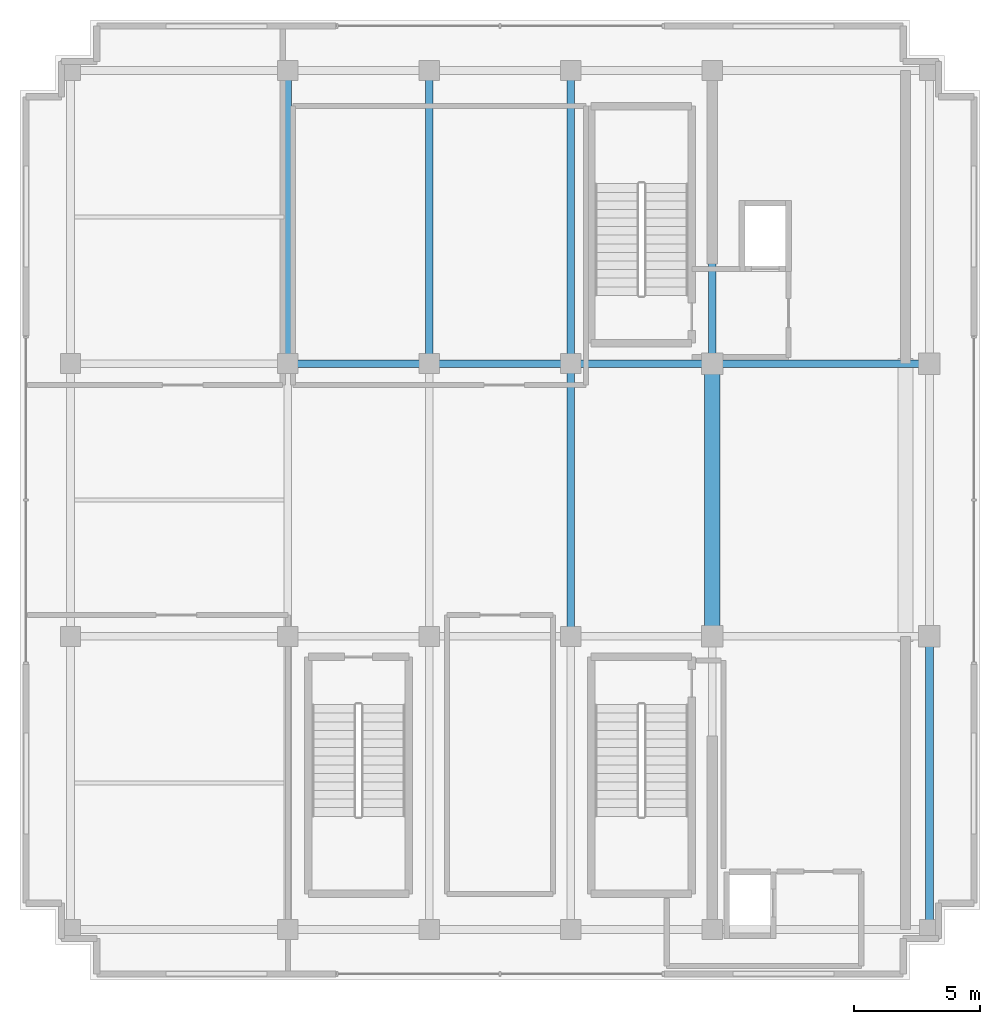
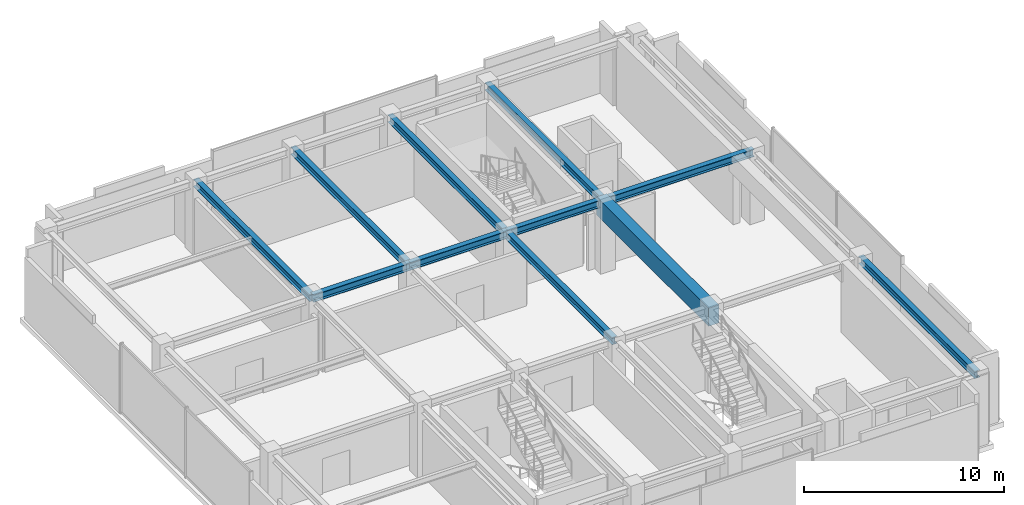
# One storey, part 9 of 18: 11 beams.
"""IFC4 building model written with IfcOpenShell, lengths in metres."""

from ifc_helpers import new_model, si_unit, direction, frame, origin, origin_2d, place, context, subcontext, project, spatial, rectangle, i_section, extrude, source, transform, mapped, material, material_profile, profile_set, type_object, element, save


model = new_model("IFC4")

# Units and contexts
model_context = context("Model", 3, precision=1e-05, world=origin(), true_north=direction((0.0, 1.0)))
body_context = subcontext(model_context, "Body", "Model", "MODEL_VIEW")
ifc_project = project(units=[si_unit("LENGTHUNIT", "METRE"), si_unit("AREAUNIT", "SQUARE_METRE"), si_unit("VOLUMEUNIT", "CUBIC_METRE"), si_unit("PLANEANGLEUNIT", "RADIAN"), si_unit("MASSUNIT", "GRAM", prefix="KILO")], contexts=[model_context])

# Site, building, storey
site_placement = place(None, origin())
site = spatial("IfcSite", under=ifc_project, at=site_placement, CompositionType="ELEMENT")
building_placement = place(site_placement, origin())
building = spatial("IfcBuilding", under=site, at=building_placement, Name="Nahalor Promenade Grand Hotel", CompositionType="ELEMENT")
storey_placement = place(building_placement, frame((0.0, 0.0, 366.25)))
storey = spatial("IfcBuildingStorey", under=building, at=storey_placement, Name="L93", CompositionType="ELEMENT", Elevation=366.25)

# Beams
ifc_material_1 = material(Name="Concrete B-60 (C50/60)", Category="concrete")
ifc_material_profile_1 = material_profile(ifc_material_1, rectangle(XDim=0.6, YDim=1.1, at=origin_2d()), Name="RC 600x1100")
ifc_profile_set_1 = profile_set([ifc_material_profile_1], Name="Concrete B-60 (C50/60)")
beam_type_1 = type_object("IfcBeamType", Name="Beam-Lintel-RC1100", PredefinedType="LINTEL", material=ifc_profile_set_1)
shared_shape_1 = source(origin(), body_context, "Body", "SweptSolid", [
    extrude(rectangle(XDim=0.6, YDim=1.1, at=origin_2d()), origin(), (0.0, 0.0, 1.0), 11.2001953125),
])
beam_1_placement = place(storey_placement, frame((8.39990234375, -5.60009765625, 3.75), z_axis=(0.0, 1.0, 0.0), x_axis=(-1.0, 0.0, 0.0)))
element("IfcBeam", 1, at=beam_1_placement, inside=storey, type_object=beam_type_1, Name="BM-L93-LINT-W", PredefinedType="LINTEL", context=body_context, shape_type="MappedRepresentation", body=[
    mapped(shared_shape_1, transform((0.0, 0.0, 0.0), scale=1.0)),
])
ifc_material_2 = material(Name="Steel S355JR", Category="steel")
ifc_material_profile_2 = material_profile(ifc_material_2, i_section(OverallWidth=0.3, OverallDepth=0.45, WebThickness=0.014, FlangeThickness=0.026, at=origin_2d()), Name="HEB 450")
ifc_profile_set_2 = profile_set([ifc_material_profile_2], Name="Steel S355JR")
beam_type_2 = type_object("IfcBeamType", Name="Beam-Girder-HEB450", PredefinedType="BEAM", material=ifc_profile_set_2)
shared_shape_2 = source(origin(), body_context, "Body", "SweptSolid", [
    extrude(i_section(OverallWidth=0.3, OverallDepth=0.45, WebThickness=0.014, FlangeThickness=0.026, at=origin_2d()), origin(), (0.0, 0.0, 1.0), 8.60009765625),
])
beam_2_placement = place(storey_placement, frame((8.39990234375, 5.39990234375, 4.074951171875), z_axis=(1.0, 0.0, 0.0), x_axis=(0.0, 1.0, 0.0)))
element("IfcBeam", 2, at=beam_2_placement, inside=storey, type_object=beam_type_2, Name="BM-L93-GX-2-4", PredefinedType="BEAM", context=body_context, shape_type="MappedRepresentation", body=[
    mapped(shared_shape_2, transform((0.0, 0.0, 0.0), scale=1.0)),
])
shared_shape_3 = source(origin(), body_context, "Body", "SweptSolid", [
    extrude(i_section(OverallWidth=0.3, OverallDepth=0.45, WebThickness=0.014, FlangeThickness=0.026, at=origin_2d()), origin(), (0.0, 0.0, 1.0), 5.599853515625),
])
for number, where, z_axis, x_axis, name in (
    (3, (-8.39990234375, 5.39990234375, 4.074951171875), (1.0, 0.0, 0.0), (0.0, 1.0, 0.0), "BM-L93-GX-2-1"),
    (4, (2.800048828125, 5.39990234375, 4.074951171875), (1.0, 0.0, 0.0), (0.0, 1.0, 0.0), "BM-L93-GX-2-3"),
):
    element("IfcBeam", number, at=place(storey_placement, frame(where, z_axis=z_axis, x_axis=x_axis)), inside=storey, type_object=beam_type_2, Name=name, PredefinedType="BEAM", context=body_context, shape_type="MappedRepresentation", body=[
        mapped(shared_shape_3, transform((0.0, 0.0, 0.0), scale=1.0)),
    ])
shared_shape_4 = source(origin(), body_context, "Body", "SweptSolid", [
    extrude(i_section(OverallWidth=0.3, OverallDepth=0.45, WebThickness=0.014, FlangeThickness=0.026, at=origin_2d()), origin(), (0.0, 0.0, 1.0), 5.60009765625),
])
beam_3_placement = place(storey_placement, frame((-2.800048828125, 5.39990234375, 4.074951171875), z_axis=(1.0, 0.0, 0.0), x_axis=(0.0, 1.0, 0.0)))
element("IfcBeam", 5, at=beam_3_placement, inside=storey, type_object=beam_type_2, Name="BM-L93-GX-2-2", PredefinedType="BEAM", context=body_context, shape_type="MappedRepresentation", body=[
    mapped(shared_shape_4, transform((0.0, 0.0, 0.0), scale=1.0)),
])
shared_shape_5 = source(origin(), body_context, "Body", "SweptSolid", [
    extrude(i_section(OverallWidth=0.3, OverallDepth=0.45, WebThickness=0.014, FlangeThickness=0.026, at=origin_2d()), origin(), (0.0, 0.0, 1.0), 11.60009765625),
])
for number, where, z_axis, x_axis, name in (
    (6, (-8.39990234375, 5.39990234375, 4.074951171875), (0.0, 1.0, 0.0), (-1.0, 0.0, 0.0), "BM-L93-GY-1-2"),
    (7, (-2.800048828125, 5.39990234375, 4.074951171875), (0.0, 1.0, 0.0), (-1.0, 0.0, 0.0), "BM-L93-GY-2-2"),
    (8, (2.800048828125, 5.39990234375, 4.074951171875), (0.0, 1.0, 0.0), (-1.0, 0.0, 0.0), "BM-L93-GY-3-2"),
    (9, (8.39990234375, 5.39990234375, 4.074951171875), (0.0, 1.0, 0.0), (-1.0, 0.0, 0.0), "BM-L93-GY-4-2"),
    (10, (17.0, -17.0, 4.074951171875), (0.0, 1.0, 0.0), (-1.0, 0.0, 0.0), "BM-L93-GY-5-0"),
):
    element("IfcBeam", number, at=place(storey_placement, frame(where, z_axis=z_axis, x_axis=x_axis)), inside=storey, type_object=beam_type_2, Name=name, PredefinedType="BEAM", context=body_context, shape_type="MappedRepresentation", body=[
        mapped(shared_shape_5, transform((0.0, 0.0, 0.0), scale=1.0)),
    ])
shared_shape_6 = source(origin(), body_context, "Body", "SweptSolid", [
    extrude(i_section(OverallWidth=0.3, OverallDepth=0.45, WebThickness=0.014, FlangeThickness=0.026, at=origin_2d()), origin(), (0.0, 0.0, 1.0), 10.7998046875),
])
beam_4_placement = place(storey_placement, frame((2.800048828125, -5.39990234375, 4.074951171875), z_axis=(0.0, 1.0, 0.0), x_axis=(-1.0, 0.0, 0.0)))
element("IfcBeam", 11, at=beam_4_placement, inside=storey, type_object=beam_type_2, Name="BM-L93-GY-3-1", PredefinedType="BEAM", context=body_context, shape_type="MappedRepresentation", body=[
    mapped(shared_shape_6, transform((0.0, 0.0, 0.0), scale=1.0)),
])

save(model, "model.ifc")
